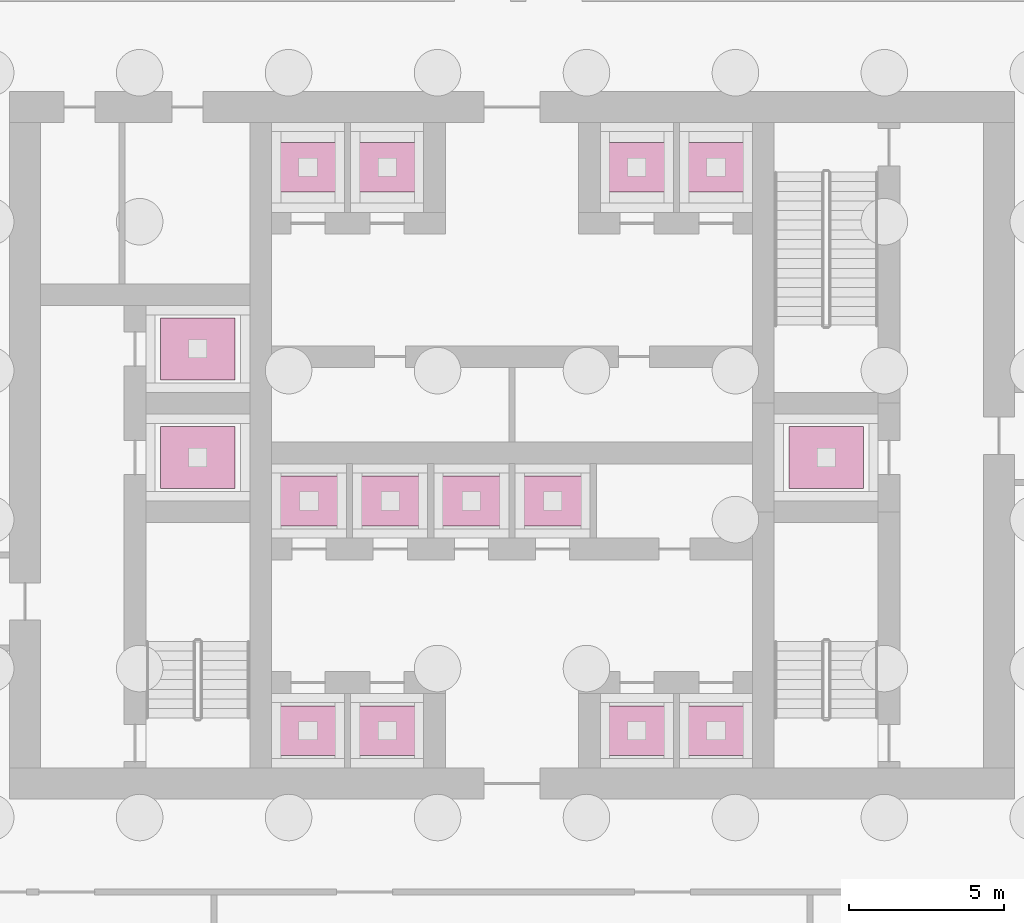
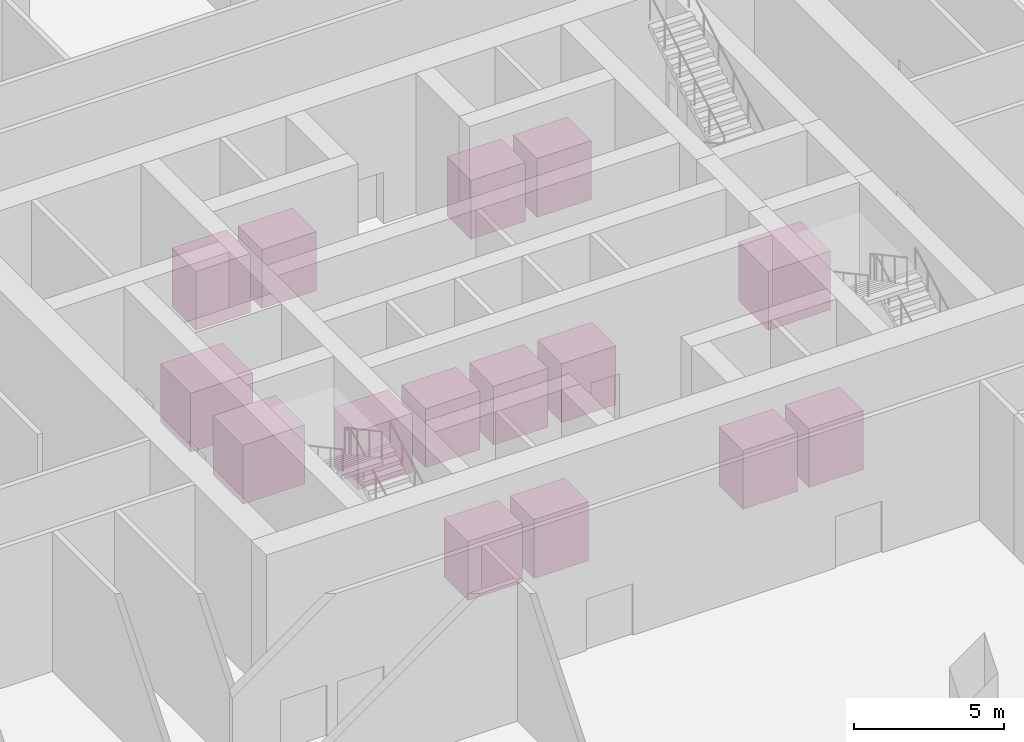
# One storey, part 44 of 44: 15 transport elements.
"""IFC4 building model written with IfcOpenShell, lengths in metres."""

from ifc_helpers import new_model, si_unit, direction, frame, origin, origin_2d, place, context, subcontext, project, spatial, rectangle, extrude, material, type_object, element, save


model = new_model("IFC4")

# Units and contexts
model_context = context("Model", 3, precision=1e-05, world=origin(), true_north=direction((0.0, 1.0)))
body_context = subcontext(model_context, "Body", "Model", "MODEL_VIEW")
ifc_project = project(units=[si_unit("LENGTHUNIT", "METRE"), si_unit("AREAUNIT", "SQUARE_METRE"), si_unit("VOLUMEUNIT", "CUBIC_METRE"), si_unit("PLANEANGLEUNIT", "RADIAN"), si_unit("MASSUNIT", "GRAM", prefix="KILO")], contexts=[model_context])

# Site, building, storey
site_placement = place(None, origin())
site = spatial("IfcSite", under=ifc_project, at=site_placement, CompositionType="ELEMENT")
building_placement = place(site_placement, origin())
building = spatial("IfcBuilding", under=site, at=building_placement, Name="Madar Terraces", CompositionType="ELEMENT")
storey_placement = place(building_placement, origin())
storey = spatial("IfcBuildingStorey", under=building, at=storey_placement, Name="L00", CompositionType="ELEMENT", Elevation=0.0)

# Transport elements
ifc_material_1 = material(Name="Stainless steel panel", Category="steel")
transport_element_type_1 = type_object("IfcTransportElementType", Name="Lift car passenger 1600 kg", PredefinedType="ELEVATOR", material=ifc_material_1)
for number, where, z_axis, x_axis, name in (
    (1, (24.625, 17.199951171875, 0.0), (0.0, 0.0, 1.0), (1.0, 0.0, 0.0), "LIFT LR1"),
    (2, (27.175048828125, 17.199951171875, 0.0), (0.0, 0.0, 1.0), (1.0, 0.0, 0.0), "LIFT LR2"),
    (3, (35.22509765625, 17.199951171875, 0.0), (0.0, 0.0, 1.0), (1.0, 0.0, 0.0), "LIFT LR3"),
    (4, (37.77490234375, 17.199951171875, 0.0), (0.0, 0.0, 1.0), (1.0, 0.0, 0.0), "LIFT LR4"),
    (5, (24.658447265625, 24.60009765625, 0.0), (0.0, 0.0, 1.0), (1.0, 0.0, 0.0), "LIFT LR5"),
    (6, (27.27490234375, 24.60009765625, 0.0), (0.0, 0.0, 1.0), (1.0, 0.0, 0.0), "LIFT LR6"),
    (7, (24.625, 35.35009765625, 0.0), (0.0, 0.0, 1.0), (1.0, 0.0, 0.0), "LIFT SH1"),
    (8, (27.175048828125, 35.35009765625, 0.0), (0.0, 0.0, 1.0), (1.0, 0.0, 0.0), "LIFT SH2"),
    (9, (35.22509765625, 35.35009765625, 0.0), (0.0, 0.0, 1.0), (1.0, 0.0, 0.0), "LIFT SH3"),
    (10, (37.77490234375, 35.35009765625, 0.0), (0.0, 0.0, 1.0), (1.0, 0.0, 0.0), "LIFT SH4"),
    (11, (29.8916015625, 24.60009765625, 0.0), (0.0, 0.0, 1.0), (1.0, 0.0, 0.0), "LIFT OB1"),
    (12, (32.50830078125, 24.60009765625, 0.0), (0.0, 0.0, 1.0), (1.0, 0.0, 0.0), "LIFT OB2"),
):
    element("IfcTransportElement", number, at=place(storey_placement, frame(where, z_axis=z_axis, x_axis=x_axis)), inside=storey, type_object=transport_element_type_1, Name=name, PredefinedType="ELEVATOR", context=body_context, shape_type="SweptSolid", body=[
        extrude(rectangle(XDim=2.10009765625, YDim=1.60009765625, at=origin_2d()), origin(), (0.0, 0.0, 1.0), 2.39990234375),
    ])
ifc_material_2 = material(Name="Stainless steel panel", Category="steel")
transport_element_type_2 = type_object("IfcTransportElementType", Name="Lift car service 2000 kg", PredefinedType="ELEVATOR", material=ifc_material_2)
for number, where, z_axis, x_axis, name in (
    (13, (21.074951171875, 26.0, 0.0), (0.0, 0.0, 1.0), (1.0, 0.0, 0.0), "LIFT FF1"),
    (14, (21.074951171875, 29.5, 0.0), (0.0, 0.0, 1.0), (1.0, 0.0, 0.0), "LIFT FF2"),
    (15, (41.324951171875, 26.0, 0.0), (0.0, 0.0, 1.0), (1.0, 0.0, 0.0), "LIFT FF3"),
):
    element("IfcTransportElement", number, at=place(storey_placement, frame(where, z_axis=z_axis, x_axis=x_axis)), inside=storey, type_object=transport_element_type_2, Name=name, PredefinedType="ELEVATOR", context=body_context, shape_type="SweptSolid", body=[
        extrude(rectangle(XDim=2.39990234375, YDim=2.0, at=origin_2d()), origin(), (0.0, 0.0, 1.0), 2.39990234375),
    ])

save(model, "model.ifc")
